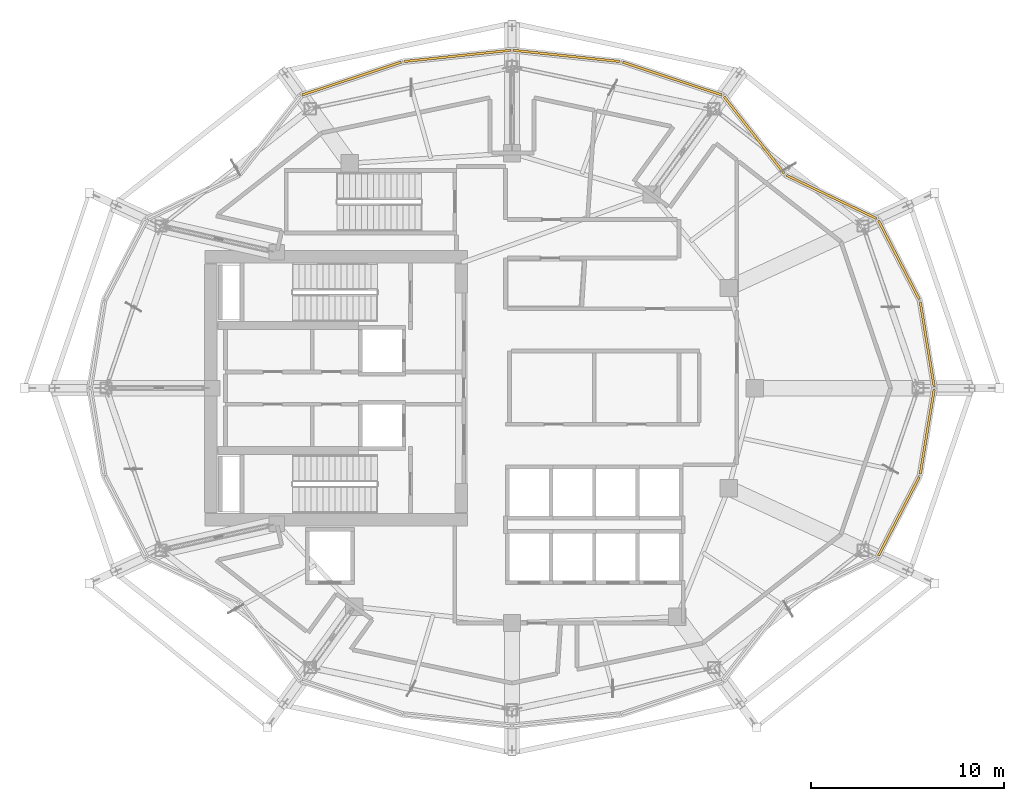
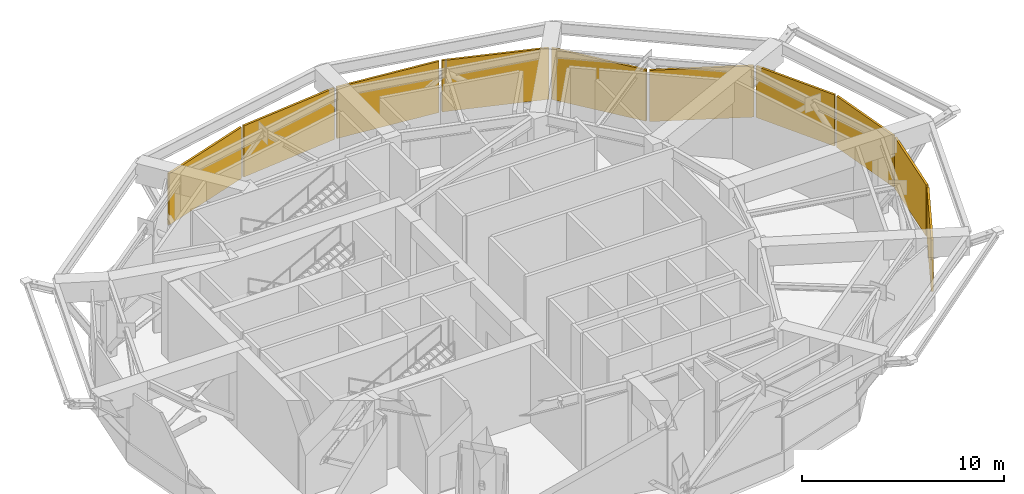
# One storey, part 13 of 13: 10 coverings.
"""IFC4 building model written with IfcOpenShell, lengths in metres."""

from ifc_helpers import new_model, si_unit, direction, frame, origin, origin_2d, place, context, subcontext, project, spatial, rectangle, extrude, material, layer, layer_set, type_object, element, save


model = new_model("IFC4")

# Units and contexts
model_context = context("Model", 3, precision=1e-05, world=origin(), true_north=direction((0.0, 1.0)))
body_context = subcontext(model_context, "Body", "Model", "MODEL_VIEW")
ifc_project = project(units=[si_unit("LENGTHUNIT", "METRE"), si_unit("AREAUNIT", "SQUARE_METRE"), si_unit("VOLUMEUNIT", "CUBIC_METRE"), si_unit("PLANEANGLEUNIT", "RADIAN"), si_unit("MASSUNIT", "GRAM", prefix="KILO")], contexts=[model_context])

# Site, building, storey
site_placement = place(None, origin())
site = spatial("IfcSite", under=ifc_project, at=site_placement, CompositionType="ELEMENT")
building_placement = place(site_placement, origin())
building = spatial("IfcBuilding", under=site, at=building_placement, Name="Kolvaren Gate Tower and Convention Centre", CompositionType="ELEMENT")
storey_placement = place(building_placement, frame((0.0, 0.0, 186.89990234375)))
storey = spatial("IfcBuildingStorey", under=building, at=storey_placement, Name="L49", CompositionType="ELEMENT", Elevation=186.89990234375)

# Coverings
ifc_material = material(Name="Honed Warm Andean Limestone Rainscreen Cladding 120 mm", Category="masonry")
ifc_layer = layer(ifc_material, 0.1201171875)
ifc_layer_set = layer_set([ifc_layer], Name="Honed Warm Andean Limestone Rainscreen Cladding 120 mm")
covering_type = type_object("IfcCoveringType", Name="ARCH-COV-LOUVRE", PredefinedType="CLADDING", material=ifc_layer_set)
covering_1_placement = place(storey_placement, frame((51.688720703125, 29.27099609375, 1.14013671875), z_axis=(0.0, 0.0, 1.0), x_axis=(0.162380568014, -0.986728205298, 0.0)))
element("IfcCovering", 1, at=covering_1_placement, inside=storey, type_object=covering_type, Name="Plant Floor L49 Honed Limestone Rainscreen Cladding LV-00", PredefinedType="CLADDING", context=body_context, shape_type="SweptSolid", body=[
    extrude(rectangle(XDim=4.443359375, YDim=0.1201171875, at=origin_2d()), origin(), (0.0, 0.0, 1.0), 3.10302734375),
])
covering_2_placement = place(storey_placement, frame((50.21923828125, 33.65869140625, 1.14013671875), z_axis=(0.0, 0.0, 1.0), x_axis=(0.459798409467, -0.888023323259, 0.0)))
element("IfcCovering", 2, at=covering_2_placement, inside=storey, type_object=covering_type, Name="Plant Floor L49 Honed Limestone Rainscreen Cladding LV-01", PredefinedType="CLADDING", context=body_context, shape_type="SweptSolid", body=[
    extrude(rectangle(XDim=4.6064453125, YDim=0.1201171875, at=origin_2d()), origin(), (0.0, 0.0, 1.0), 3.10302734375),
])
covering_3_placement = place(storey_placement, frame((46.718505859375, 36.930419921875, 1.14013671875), z_axis=(0.0, 0.0, 1.0), x_axis=(0.901358389955, -0.433073957723, 0.0)))
element("IfcCovering", 3, at=covering_3_placement, inside=storey, type_object=covering_type, Name="Plant Floor L49 Honed Limestone Rainscreen Cladding LV-02", PredefinedType="CLADDING", context=body_context, shape_type="SweptSolid", body=[
    extrude(rectangle(XDim=5.17626953125, YDim=0.1201171875, at=origin_2d()), origin(), (0.0, 0.0, 1.0), 3.10302734375),
])
covering_4_placement = place(storey_placement, frame((42.70361328125, 40.142333984375, 1.14013671875), z_axis=(0.0, 0.0, 1.0), x_axis=(0.616434119112, -0.787406487651, 0.0)))
element("IfcCovering", 4, at=covering_4_placement, inside=storey, type_object=covering_type, Name="Plant Floor L49 Honed Limestone Rainscreen Cladding LV-03", PredefinedType="CLADDING", context=body_context, shape_type="SweptSolid", body=[
    extrude(rectangle(XDim=5.06298828125, YDim=0.1201171875, at=origin_2d()), origin(), (0.0, 0.0, 1.0), 3.10302734375),
])
covering_5_placement = place(storey_placement, frame((38.4482421875, 43.075439453125, 1.14013671875), z_axis=(0.0, 0.0, 1.0), x_axis=(0.949239532616, -0.314554144335, 0.0)))
element("IfcCovering", 5, at=covering_5_placement, inside=storey, type_object=covering_type, Name="Plant Floor L49 Honed Limestone Rainscreen Cladding LV-04", PredefinedType="CLADDING", context=body_context, shape_type="SweptSolid", body=[
    extrude(rectangle(XDim=5.413818359375, YDim=0.1201171875, at=origin_2d()), origin(), (0.0, 0.0, 1.0), 3.10302734375),
])
for number, where, z_axis, x_axis, name in (
    (6, (32.9638671875, 44.2509765625, 1.14013671875), (0.0, 0.0, 1.0), (0.994499249941, -0.104743696069, 0.0), "Plant Floor L49 Honed Limestone Rainscreen Cladding LV-05"),
    (7, (27.2861328125, 44.2509765625, 1.14013671875), (0.0, 0.0, 1.0), (0.994499249941, 0.104743696069, 0.0), "Plant Floor L49 Honed Limestone Rainscreen Cladding LV-06"),
):
    element("IfcCovering", number, at=place(storey_placement, frame(where, z_axis=z_axis, x_axis=x_axis)), inside=storey, type_object=covering_type, Name=name, PredefinedType="CLADDING", context=body_context, shape_type="SweptSolid", body=[
        extrude(rectangle(XDim=5.54931640625, YDim=0.1201171875, at=origin_2d()), origin(), (0.0, 0.0, 1.0), 3.10302734375),
    ])
covering_6_placement = place(storey_placement, frame((21.8017578125, 43.075439453125, 1.14013671875), z_axis=(0.0, 0.0, 1.0), x_axis=(0.949237885602, 0.314559114537, 0.0)))
element("IfcCovering", 8, at=covering_6_placement, inside=storey, type_object=covering_type, Name="Plant Floor L49 Honed Limestone Rainscreen Cladding LV-07", PredefinedType="CLADDING", context=body_context, shape_type="SweptSolid", body=[
    extrude(rectangle(XDim=5.413818359375, YDim=0.1201171875, at=origin_2d()), origin(), (0.0, 0.0, 1.0), 3.10302734375),
])
covering_7_placement = place(storey_placement, frame((50.21923828125, 20.34130859375, 1.14013671875), z_axis=(0.0, 0.0, 1.0), x_axis=(0.459798409467, 0.888023323259, 0.0)))
element("IfcCovering", 9, at=covering_7_placement, inside=storey, type_object=covering_type, Name="Plant Floor L49 Honed Limestone Rainscreen Cladding LV-22", PredefinedType="CLADDING", context=body_context, shape_type="SweptSolid", body=[
    extrude(rectangle(XDim=4.6064453125, YDim=0.1201171875, at=origin_2d()), origin(), (0.0, 0.0, 1.0), 3.10302734375),
])
covering_8_placement = place(storey_placement, frame((51.688720703125, 24.72900390625, 1.14013671875), z_axis=(0.0, 0.0, 1.0), x_axis=(0.162380568014, 0.986728205298, 0.0)))
element("IfcCovering", 10, at=covering_8_placement, inside=storey, type_object=covering_type, Name="Plant Floor L49 Honed Limestone Rainscreen Cladding LV-23", PredefinedType="CLADDING", context=body_context, shape_type="SweptSolid", body=[
    extrude(rectangle(XDim=4.443359375, YDim=0.1201171875, at=origin_2d()), origin(), (0.0, 0.0, 1.0), 3.10302734375),
])

save(model, "model.ifc")
